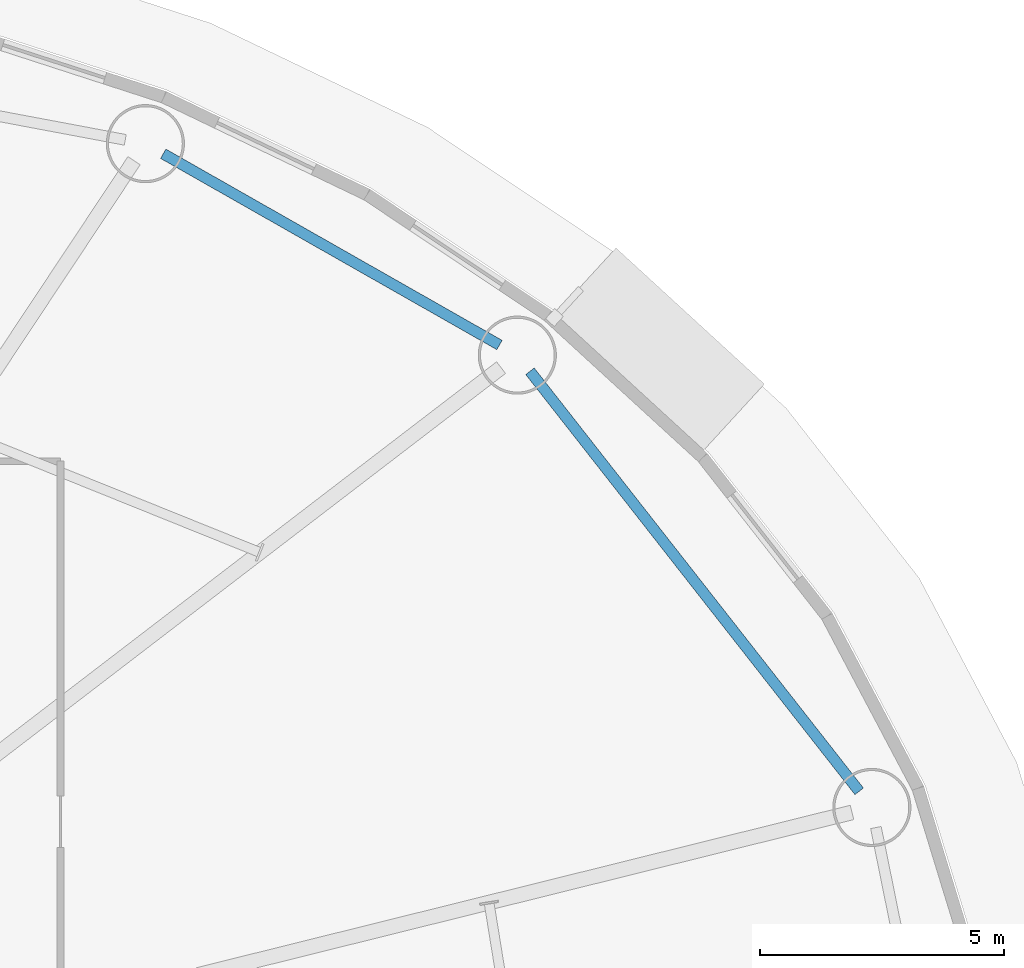
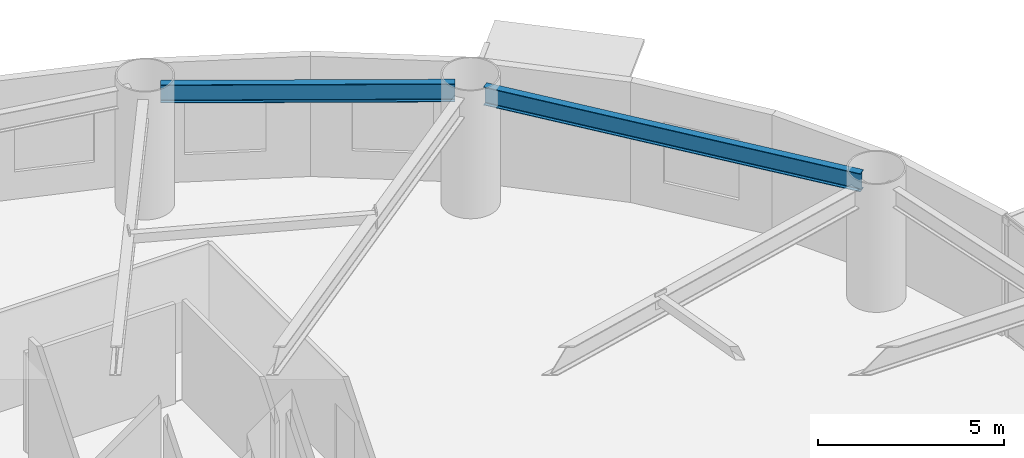
# One storey, part 13 of 35: 2 beams.
"""IFC4 building model written with IfcOpenShell, lengths in metres."""

import ifcopenshell
import ifcopenshell.guid

model = None  # the IFC model being written
_history = None  # IfcOwnerHistory: only IFC2X3 demands one
_inside = {}  # id of a spatial element -> (the spatial element, [elements in it])
_under = {}  # id of a project, library or spatial element -> (it, [spatial elements below it])
_declared = {}  # id of a project -> (the project, [libraries it declares])
_typed = {}  # id of a type object -> (the type object, [elements of that type])
_made_of = {}  # id of a material, layer set ... -> (it, [elements and type objects made of it])


def new_model(schema):
    """Start an empty IFC model of exactly this schema.

    Asked for "IFC4X3", IfcOpenShell would pick the latest addendum, in which some entities
    have other attributes; the version numbers below select the first issue.
    IFC2X3 requires an IfcOwnerHistory on every rooted entity: one is made here for all.
    """
    global model, _history
    if schema == "IFC4X3":
        model = ifcopenshell.file(schema_version=(4, 3, 0, 0))
    else:
        model = ifcopenshell.file(schema=schema)
    _inside.clear()
    _under.clear()
    _declared.clear()
    _typed.clear()
    _made_of.clear()
    _history = None
    if model.schema == "IFC2X3":
        org = make("IfcOrganization", Name="unknown")
        user = make(
            "IfcPersonAndOrganization",
            ThePerson=make("IfcPerson", FamilyName="unknown"),
            TheOrganization=org,
        )
        app = make(
            "IfcApplication",
            ApplicationDeveloper=org,
            Version="unknown",
            ApplicationFullName="unknown",
            ApplicationIdentifier="unknown",
        )
        _history = make(
            "IfcOwnerHistory",
            OwningUser=user,
            OwningApplication=app,
            ChangeAction="ADDED",
            CreationDate=0,
        )
    return model


def make(cls, **values):
    """One entity of the class cls with the attributes given. An attribute that is None is left unset."""
    return model.create_entity(
        cls, **{name: value for name, value in values.items() if value is not None}
    )


def rooted(cls, **values):
    """An entity with a GlobalId (a new one), such as an element, a storey or a relation."""
    return make(cls, GlobalId=ifcopenshell.guid.new(), OwnerHistory=_history, **values)


def si_unit(unit_type, name, prefix=None):
    """IfcSIUnit, for example si_unit("LENGTHUNIT", "METRE", prefix="MILLI")."""
    return make("IfcSIUnit", UnitType=unit_type, Prefix=prefix, Name=name)


def assignment(units):
    """IfcUnitAssignment: the units of a project."""
    return None if units is None else make("IfcUnitAssignment", Units=units)


def point(xyz):
    """IfcCartesianPoint."""
    return None if xyz is None else make("IfcCartesianPoint", Coordinates=xyz)


def direction(xyz):
    """IfcDirection."""
    return None if xyz is None else make("IfcDirection", DirectionRatios=xyz)


def frame(location, z_axis=None, x_axis=None):
    """IfcAxis2Placement3D, a coordinate frame: its origin and axes. An axis left out is left unset."""
    return make(
        "IfcAxis2Placement3D",
        Location=point(location),
        Axis=direction(z_axis),
        RefDirection=direction(x_axis),
    )


def frame_2d(location, x_axis=None):
    """IfcAxis2Placement2D, a coordinate frame in the plane: its origin and x axis."""
    return make(
        "IfcAxis2Placement2D", Location=point(location), RefDirection=direction(x_axis)
    )


def origin():
    """The frame at (0, 0, 0) with its axes left unset."""
    return frame((0.0, 0.0, 0.0))


def origin_2d():
    """The frame at (0, 0) in the plane with its x axis left unset."""
    return frame_2d((0.0, 0.0))


def place(relative_to, where):
    """IfcLocalPlacement: puts the frame where relative to a parent placement (None: the world)."""
    return make(
        "IfcLocalPlacement", PlacementRelTo=relative_to, RelativePlacement=where
    )


def context(
    kind, dimensions, precision=None, world=None, true_north=None, identifier=None
):
    """IfcGeometricRepresentationContext, for example the 3D "Model" context."""
    return make(
        "IfcGeometricRepresentationContext",
        ContextIdentifier=identifier,
        ContextType=kind,
        CoordinateSpaceDimension=dimensions,
        Precision=precision,
        WorldCoordinateSystem=world,
        TrueNorth=true_north,
    )


def subcontext(parent, identifier, kind, view, scale=None):
    """IfcGeometricRepresentationSubContext, for example "Body" below "Model"."""
    return make(
        "IfcGeometricRepresentationSubContext",
        ContextIdentifier=identifier,
        ContextType=kind,
        ParentContext=parent,
        TargetScale=scale,
        TargetView=view,
    )


def project(units=None, contexts=None):
    """IfcProject with its units and contexts."""
    return rooted(
        "IfcProject",
        Name="project",
        RepresentationContexts=contexts,
        UnitsInContext=assignment(units),
    )


def spatial(cls, under=None, at=None, **own):
    """A site, building, storey or space (cls), placed at a placement, below another one or the project."""
    s = rooted(cls, ObjectPlacement=at, **own)
    if under is not None:
        _under.setdefault(under.id(), (under, []))[1].append(s)
    return s


def profile(cls, at=None, kind="AREA", **sizes):
    """A parametric profile (cls). Its sizes go by their IFC names, for example OverallWidth=200.0."""
    return make(cls, ProfileType=kind, Position=at, **sizes)


def i_section(**sizes):
    """IfcIShapeProfileDef."""
    return profile("IfcIShapeProfileDef", **sizes)


def extrude(swept, where, along, depth):
    """IfcExtrudedAreaSolid: the profile swept, set in the frame where, extruded along a direction by depth."""
    return make(
        "IfcExtrudedAreaSolid",
        SweptArea=swept,
        Position=where,
        ExtrudedDirection=direction(along),
        Depth=depth,
    )


def shape(context_of_items, identifier, shape_type, items):
    """IfcShapeRepresentation: the items that make up one representation, for example the "Body"."""
    return make(
        "IfcShapeRepresentation",
        ContextOfItems=context_of_items,
        RepresentationIdentifier=identifier,
        RepresentationType=shape_type,
        Items=items,
    )


def material(Name=None, Category=None):
    """IfcMaterial."""
    return make("IfcMaterial", Name=Name, Category=Category)


def material_profile(
    of_material, cross_section, Name=None, Category=None, Priority=None
):
    """IfcMaterialProfile: a cross section and its material."""
    return make(
        "IfcMaterialProfile",
        Name=Name,
        Material=of_material,
        Profile=cross_section,
        Priority=Priority,
        Category=Category,
    )


def profile_set(profiles, Name=None, composite=None):
    """IfcMaterialProfileSet."""
    return make(
        "IfcMaterialProfileSet",
        Name=Name,
        MaterialProfiles=profiles,
        CompositeProfile=composite,
    )


def made_of(thing, what):
    """Note that an element or type object is made of a material, layer set ...; save() writes the relation."""
    if what is not None:
        _made_of.setdefault(what.id(), (what, []))[1].append(thing)
    return thing


def type_object(cls, material=None, **own):
    """A type object (cls), such as IfcWallType, which elements share."""
    return made_of(rooted(cls, **own), material)


def element(
    cls,
    number,
    at=None,
    inside=None,
    cuts=None,
    type_object=None,
    material=None,
    context=None,
    identifier="Body",
    shape_type=None,
    held_by="IfcProductDefinitionShape",
    body=None,
    shapes=None,
    **own,
):
    """One element of the class cls, such as IfcWall. Its Tag is "e" and its number.

    at: its placement. inside: the storey or other place that contains it. cuts: it is an
    opening in that element (IfcRelVoidsElement). A single representation is given by context,
    identifier, shape_type and body (its items); several are given by shapes. held_by: the class
    of the entity that holds the representations. save() writes the other relations.
    """
    e = rooted(cls, Tag="e%d" % number, ObjectPlacement=at, **own)
    if body is not None:
        shapes = [shape(context, identifier, shape_type, body)]
    if shapes is not None:
        e.Representation = make(held_by, Representations=shapes)
    if inside is not None:
        _inside.setdefault(inside.id(), (inside, []))[1].append(e)
    if cuts is not None:
        rooted(
            "IfcRelVoidsElement", RelatingBuildingElement=cuts, RelatedOpeningElement=e
        )
    if type_object is not None:
        _typed.setdefault(type_object.id(), (type_object, []))[1].append(e)
    return made_of(e, material)


def aggregate(whole, parts):
    """IfcRelAggregates: a whole, such as a stair, and the parts it consists of."""
    return rooted("IfcRelAggregates", RelatingObject=whole, RelatedObjects=parts)


def save(model, path):
    """Write the relations noted so far, then the file.

    IfcRelAggregates (storeys below a building ...), IfcRelContainedInSpatialStructure (elements
    in a storey), IfcRelDefinesByType, IfcRelAssociatesMaterial and IfcRelDeclares: one each for
    every whole, place, type object, material and project.
    """
    for whole, parts in _under.values():
        aggregate(whole, parts)
    for where, things in _inside.values():
        rooted(
            "IfcRelContainedInSpatialStructure",
            RelatedElements=things,
            RelatingStructure=where,
        )
    for kind, things in _typed.values():
        rooted("IfcRelDefinesByType", RelatedObjects=things, RelatingType=kind)
    for what, things in _made_of.values():
        rooted("IfcRelAssociatesMaterial", RelatedObjects=things, RelatingMaterial=what)
    for by, libraries in _declared.values():
        rooted("IfcRelDeclares", RelatingContext=by, RelatedDefinitions=libraries)
    model.write(path)


model = new_model("IFC4")

# Units and contexts
model_context = context("Model", 3, precision=1e-05, world=origin(), true_north=direction((0.0, 1.0)))
body_context = subcontext(model_context, "Body", "Model", "MODEL_VIEW")
ifc_project = project(units=[si_unit("LENGTHUNIT", "METRE"), si_unit("AREAUNIT", "SQUARE_METRE"), si_unit("VOLUMEUNIT", "CUBIC_METRE"), si_unit("PLANEANGLEUNIT", "RADIAN"), si_unit("MASSUNIT", "GRAM", prefix="KILO")], contexts=[model_context])

# Site, building, storey
site_placement = place(None, origin())
site = spatial("IfcSite", under=ifc_project, at=site_placement, CompositionType="ELEMENT")
building_placement = place(site_placement, origin())
building = spatial("IfcBuilding", under=site, at=building_placement, Name="Linh Dai School and Residence Tower", CompositionType="ELEMENT")
storey_placement = place(building_placement, frame((0.0, 0.0, 32.39990234375)))
storey = spatial("IfcBuildingStorey", under=building, at=storey_placement, Name="L07", CompositionType="ELEMENT", Elevation=32.39990234375)

# Beams
ifc_material = material(Name="Structural Steel S355JR", Category="steel")
ifc_material_profile = material_profile(ifc_material, i_section(OverallWidth=0.219970703125, OverallDepth=0.60009765625, WebThickness=0.011962890625, FlangeThickness=0.01904296875, FilletRadius=0.02392578125, at=origin_2d()), Name="IPE 600")
ifc_profile_set = profile_set([ifc_material_profile], Name="Structural Steel S355JR")
beam_type = type_object("IfcBeamType", Name="BM-RB60", PredefinedType="BEAM", material=ifc_profile_set)
beam_1_placement = place(storey_placement, frame((64.351806640625, 34.439208984375, 3.650146484375), z_axis=(-0.616878670407, 0.787058260866, 0.0), x_axis=(-0.787058260866, -0.616878670407, 0.0)))
element("IfcBeam", 1, at=beam_1_placement, inside=storey, type_object=beam_type, Name="L07 Perimeter Elliptical Ring Beam 02", PredefinedType="BEAM", context=body_context, shape_type="SweptSolid", body=[
    extrude(i_section(OverallWidth=0.219970703125, OverallDepth=0.60009765625, WebThickness=0.011962890625, FlangeThickness=0.01904296875, FilletRadius=0.02392578125, at=origin_2d()), origin(), (0.0, 0.0, 1.0), 10.926025390625),
])
beam_2_placement = place(storey_placement, frame((56.987548828125, 43.57666015625, 3.650146484375), z_axis=(-0.869271416992, 0.494335112653, 0.0), x_axis=(-0.494335112653, -0.869271416992, 0.0)))
element("IfcBeam", 2, at=beam_2_placement, inside=storey, type_object=beam_type, Name="L07 Perimeter Elliptical Ring Beam 03", PredefinedType="BEAM", context=body_context, shape_type="SweptSolid", body=[
    extrude(i_section(OverallWidth=0.219970703125, OverallDepth=0.60009765625, WebThickness=0.011962890625, FlangeThickness=0.01904296875, FilletRadius=0.02392578125, at=origin_2d()), origin(), (0.0, 0.0, 1.0), 7.91943359375),
])

save(model, "model.ifc")
